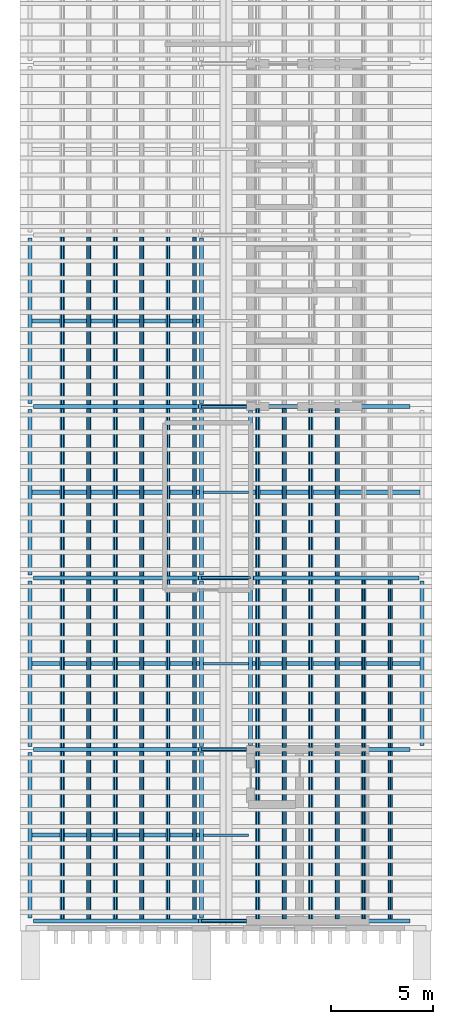
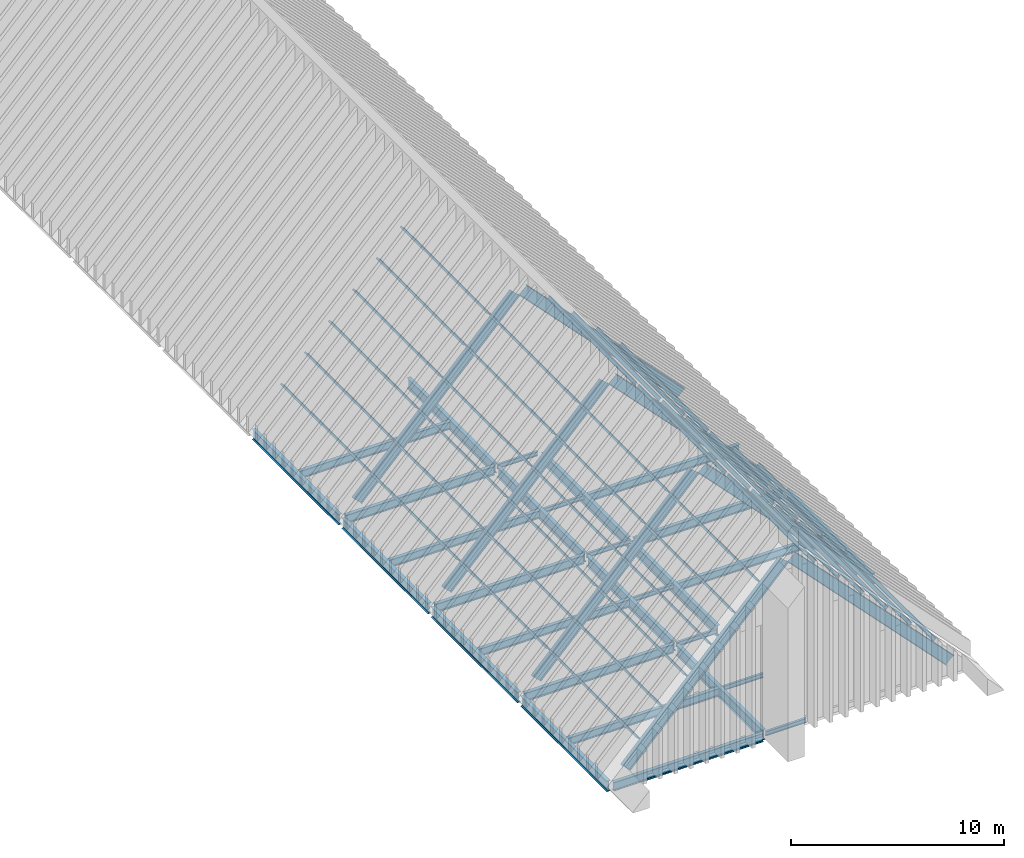
# One storey, part 1 of 6: 48 members, 29 beams.
"""IFC4 building model written with IfcOpenShell, lengths in metres."""

import ifcopenshell
import ifcopenshell.guid

model = None  # the IFC model being written
_history = None  # IfcOwnerHistory: only IFC2X3 demands one
_inside = {}  # id of a spatial element -> (the spatial element, [elements in it])
_under = {}  # id of a project, library or spatial element -> (it, [spatial elements below it])
_declared = {}  # id of a project -> (the project, [libraries it declares])
_typed = {}  # id of a type object -> (the type object, [elements of that type])
_made_of = {}  # id of a material, layer set ... -> (it, [elements and type objects made of it])


def new_model(schema):
    """Start an empty IFC model of exactly this schema.

    Asked for "IFC4X3", IfcOpenShell would pick the latest addendum, in which some entities
    have other attributes; the version numbers below select the first issue.
    IFC2X3 requires an IfcOwnerHistory on every rooted entity: one is made here for all.
    """
    global model, _history
    if schema == "IFC4X3":
        model = ifcopenshell.file(schema_version=(4, 3, 0, 0))
    else:
        model = ifcopenshell.file(schema=schema)
    _inside.clear()
    _under.clear()
    _declared.clear()
    _typed.clear()
    _made_of.clear()
    _history = None
    if model.schema == "IFC2X3":
        org = make("IfcOrganization", Name="unknown")
        user = make(
            "IfcPersonAndOrganization",
            ThePerson=make("IfcPerson", FamilyName="unknown"),
            TheOrganization=org,
        )
        app = make(
            "IfcApplication",
            ApplicationDeveloper=org,
            Version="unknown",
            ApplicationFullName="unknown",
            ApplicationIdentifier="unknown",
        )
        _history = make(
            "IfcOwnerHistory",
            OwningUser=user,
            OwningApplication=app,
            ChangeAction="ADDED",
            CreationDate=0,
        )
    return model


def make(cls, **values):
    """One entity of the class cls with the attributes given. An attribute that is None is left unset."""
    return model.create_entity(
        cls, **{name: value for name, value in values.items() if value is not None}
    )


def rooted(cls, **values):
    """An entity with a GlobalId (a new one), such as an element, a storey or a relation."""
    return make(cls, GlobalId=ifcopenshell.guid.new(), OwnerHistory=_history, **values)


def si_unit(unit_type, name, prefix=None):
    """IfcSIUnit, for example si_unit("LENGTHUNIT", "METRE", prefix="MILLI")."""
    return make("IfcSIUnit", UnitType=unit_type, Prefix=prefix, Name=name)


def assignment(units):
    """IfcUnitAssignment: the units of a project."""
    return None if units is None else make("IfcUnitAssignment", Units=units)


def point(xyz):
    """IfcCartesianPoint."""
    return None if xyz is None else make("IfcCartesianPoint", Coordinates=xyz)


def direction(xyz):
    """IfcDirection."""
    return None if xyz is None else make("IfcDirection", DirectionRatios=xyz)


def frame(location, z_axis=None, x_axis=None):
    """IfcAxis2Placement3D, a coordinate frame: its origin and axes. An axis left out is left unset."""
    return make(
        "IfcAxis2Placement3D",
        Location=point(location),
        Axis=direction(z_axis),
        RefDirection=direction(x_axis),
    )


def frame_2d(location, x_axis=None):
    """IfcAxis2Placement2D, a coordinate frame in the plane: its origin and x axis."""
    return make(
        "IfcAxis2Placement2D", Location=point(location), RefDirection=direction(x_axis)
    )


def origin():
    """The frame at (0, 0, 0) with its axes left unset."""
    return frame((0.0, 0.0, 0.0))


def origin_2d():
    """The frame at (0, 0) in the plane with its x axis left unset."""
    return frame_2d((0.0, 0.0))


def place(relative_to, where):
    """IfcLocalPlacement: puts the frame where relative to a parent placement (None: the world)."""
    return make(
        "IfcLocalPlacement", PlacementRelTo=relative_to, RelativePlacement=where
    )


def context(
    kind, dimensions, precision=None, world=None, true_north=None, identifier=None
):
    """IfcGeometricRepresentationContext, for example the 3D "Model" context."""
    return make(
        "IfcGeometricRepresentationContext",
        ContextIdentifier=identifier,
        ContextType=kind,
        CoordinateSpaceDimension=dimensions,
        Precision=precision,
        WorldCoordinateSystem=world,
        TrueNorth=true_north,
    )


def subcontext(parent, identifier, kind, view, scale=None):
    """IfcGeometricRepresentationSubContext, for example "Body" below "Model"."""
    return make(
        "IfcGeometricRepresentationSubContext",
        ContextIdentifier=identifier,
        ContextType=kind,
        ParentContext=parent,
        TargetScale=scale,
        TargetView=view,
    )


def project(units=None, contexts=None):
    """IfcProject with its units and contexts."""
    return rooted(
        "IfcProject",
        Name="project",
        RepresentationContexts=contexts,
        UnitsInContext=assignment(units),
    )


def spatial(cls, under=None, at=None, **own):
    """A site, building, storey or space (cls), placed at a placement, below another one or the project."""
    s = rooted(cls, ObjectPlacement=at, **own)
    if under is not None:
        _under.setdefault(under.id(), (under, []))[1].append(s)
    return s


def profile(cls, at=None, kind="AREA", **sizes):
    """A parametric profile (cls). Its sizes go by their IFC names, for example OverallWidth=200.0."""
    return make(cls, ProfileType=kind, Position=at, **sizes)


def i_section(**sizes):
    """IfcIShapeProfileDef."""
    return profile("IfcIShapeProfileDef", **sizes)


def extrude(swept, where, along, depth):
    """IfcExtrudedAreaSolid: the profile swept, set in the frame where, extruded along a direction by depth."""
    return make(
        "IfcExtrudedAreaSolid",
        SweptArea=swept,
        Position=where,
        ExtrudedDirection=direction(along),
        Depth=depth,
    )


def shape(context_of_items, identifier, shape_type, items):
    """IfcShapeRepresentation: the items that make up one representation, for example the "Body"."""
    return make(
        "IfcShapeRepresentation",
        ContextOfItems=context_of_items,
        RepresentationIdentifier=identifier,
        RepresentationType=shape_type,
        Items=items,
    )


def material(Name=None, Category=None):
    """IfcMaterial."""
    return make("IfcMaterial", Name=Name, Category=Category)


def material_profile(
    of_material, cross_section, Name=None, Category=None, Priority=None
):
    """IfcMaterialProfile: a cross section and its material."""
    return make(
        "IfcMaterialProfile",
        Name=Name,
        Material=of_material,
        Profile=cross_section,
        Priority=Priority,
        Category=Category,
    )


def profile_set(profiles, Name=None, composite=None):
    """IfcMaterialProfileSet."""
    return make(
        "IfcMaterialProfileSet",
        Name=Name,
        MaterialProfiles=profiles,
        CompositeProfile=composite,
    )


def made_of(thing, what):
    """Note that an element or type object is made of a material, layer set ...; save() writes the relation."""
    if what is not None:
        _made_of.setdefault(what.id(), (what, []))[1].append(thing)
    return thing


def type_object(cls, material=None, **own):
    """A type object (cls), such as IfcWallType, which elements share."""
    return made_of(rooted(cls, **own), material)


def element(
    cls,
    number,
    at=None,
    inside=None,
    cuts=None,
    type_object=None,
    material=None,
    context=None,
    identifier="Body",
    shape_type=None,
    held_by="IfcProductDefinitionShape",
    body=None,
    shapes=None,
    **own,
):
    """One element of the class cls, such as IfcWall. Its Tag is "e" and its number.

    at: its placement. inside: the storey or other place that contains it. cuts: it is an
    opening in that element (IfcRelVoidsElement). A single representation is given by context,
    identifier, shape_type and body (its items); several are given by shapes. held_by: the class
    of the entity that holds the representations. save() writes the other relations.
    """
    e = rooted(cls, Tag="e%d" % number, ObjectPlacement=at, **own)
    if body is not None:
        shapes = [shape(context, identifier, shape_type, body)]
    if shapes is not None:
        e.Representation = make(held_by, Representations=shapes)
    if inside is not None:
        _inside.setdefault(inside.id(), (inside, []))[1].append(e)
    if cuts is not None:
        rooted(
            "IfcRelVoidsElement", RelatingBuildingElement=cuts, RelatedOpeningElement=e
        )
    if type_object is not None:
        _typed.setdefault(type_object.id(), (type_object, []))[1].append(e)
    return made_of(e, material)


def aggregate(whole, parts):
    """IfcRelAggregates: a whole, such as a stair, and the parts it consists of."""
    return rooted("IfcRelAggregates", RelatingObject=whole, RelatedObjects=parts)


def save(model, path):
    """Write the relations noted so far, then the file.

    IfcRelAggregates (storeys below a building ...), IfcRelContainedInSpatialStructure (elements
    in a storey), IfcRelDefinesByType, IfcRelAssociatesMaterial and IfcRelDeclares: one each for
    every whole, place, type object, material and project.
    """
    for whole, parts in _under.values():
        aggregate(whole, parts)
    for where, things in _inside.values():
        rooted(
            "IfcRelContainedInSpatialStructure",
            RelatedElements=things,
            RelatingStructure=where,
        )
    for kind, things in _typed.values():
        rooted("IfcRelDefinesByType", RelatedObjects=things, RelatingType=kind)
    for what, things in _made_of.values():
        rooted("IfcRelAssociatesMaterial", RelatedObjects=things, RelatingMaterial=what)
    for by, libraries in _declared.values():
        rooted("IfcRelDeclares", RelatingContext=by, RelatedDefinitions=libraries)
    model.write(path)


model = new_model("IFC4")

# Units and contexts
model_context = context("Model", 3, precision=1e-05, world=origin(), true_north=direction((0.0, 1.0)))
body_context = subcontext(model_context, "Body", "Model", "MODEL_VIEW")
ifc_project = project(units=[si_unit("LENGTHUNIT", "METRE"), si_unit("AREAUNIT", "SQUARE_METRE"), si_unit("VOLUMEUNIT", "CUBIC_METRE"), si_unit("PLANEANGLEUNIT", "RADIAN"), si_unit("MASSUNIT", "GRAM", prefix="KILO")], contexts=[model_context])

# Site, building, storey
site_placement = place(None, origin())
site = spatial("IfcSite", under=ifc_project, at=site_placement, CompositionType="ELEMENT")
building_placement = place(site_placement, origin())
building = spatial("IfcBuilding", under=site, at=building_placement, Name="Cresset Court Congress Hotel", CompositionType="ELEMENT")
storey_placement = place(building_placement, frame((0.0, 0.0, 64.800048828125)))
storey = spatial("IfcBuildingStorey", under=building, at=storey_placement, Name="L15", CompositionType="ELEMENT", Elevation=64.800048828125)

# Members
ifc_material_1 = material(Name="Structural steel Q355B", Category="steel")
ifc_material_profile_1 = material_profile(ifc_material_1, i_section(OverallWidth=0.10009765625, OverallDepth=0.199951171875, WebThickness=0.005615234375, FlangeThickness=0.008056640625, FilletRadius=0.012939453125, at=origin_2d()), Name="HN200x100x5.5x8")
ifc_profile_set_1 = profile_set([ifc_material_profile_1], Name="Structural steel Q355B")
member_type_1 = type_object("IfcMemberType", Name="Roof purlin HN200x100x5.5x8", PredefinedType="PURLIN", material=ifc_profile_set_1)
for number, where, z_axis, x_axis, name in (
    (1, (165.25146484375, 0.10009765625, 8.529541015625), (0.0, 1.0, 0.0), (-0.693245874601, 0.0, -0.720701156756), "A.pur.L15.W.0.0"),
    (2, (165.25146484375, 8.5, 8.529541015625), (0.0, 1.0, 0.0), (-0.693245874601, 0.0, -0.720701156756), "A.pur.L15.W.0.1"),
):
    element("IfcMember", number, at=place(storey_placement, frame(where, z_axis=z_axis, x_axis=x_axis)), inside=storey, type_object=member_type_1, Name=name, PredefinedType="PURLIN", context=body_context, shape_type="SweptSolid", body=[
        extrude(i_section(OverallWidth=0.10009765625, OverallDepth=0.199951171875, WebThickness=0.005615234375, FlangeThickness=0.008056640625, FilletRadius=0.012939453125, at=origin_2d()), origin(), (0.0, 0.0, 1.0), 8.199951171875),
    ])
member_1_placement = place(storey_placement, frame((165.25146484375, 16.89990234375, 8.529541015625), z_axis=(0.0, 1.0, 0.0), x_axis=(-0.693245874601, 0.0, -0.720701156756)))
element("IfcMember", 3, at=member_1_placement, inside=storey, type_object=member_type_1, Name="A.pur.L15.W.0.2", PredefinedType="PURLIN", context=body_context, shape_type="SweptSolid", body=[
    extrude(i_section(OverallWidth=0.10009765625, OverallDepth=0.199951171875, WebThickness=0.005615234375, FlangeThickness=0.008056640625, FilletRadius=0.012939453125, at=origin_2d()), origin(), (0.0, 0.0, 1.0), 8.2001953125),
])
for number, where, z_axis, x_axis, name in (
    (4, (165.25146484375, 25.300048828125, 8.529541015625), (0.0, 1.0, 0.0), (-0.693245874601, 0.0, -0.720701156756), "A.pur.L15.W.0.3"),
    (5, (163.95458984375, 0.10009765625, 7.18115234375), (0.0, 1.0, 0.0), (-0.693245874601, 0.0, -0.720701156756), "A.pur.L15.W.1.0"),
    (6, (163.95458984375, 8.5, 7.18115234375), (0.0, 1.0, 0.0), (-0.693245874601, 0.0, -0.720701156756), "A.pur.L15.W.1.1"),
):
    element("IfcMember", number, at=place(storey_placement, frame(where, z_axis=z_axis, x_axis=x_axis)), inside=storey, type_object=member_type_1, Name=name, PredefinedType="PURLIN", context=body_context, shape_type="SweptSolid", body=[
        extrude(i_section(OverallWidth=0.10009765625, OverallDepth=0.199951171875, WebThickness=0.005615234375, FlangeThickness=0.008056640625, FilletRadius=0.012939453125, at=origin_2d()), origin(), (0.0, 0.0, 1.0), 8.199951171875),
    ])
member_2_placement = place(storey_placement, frame((163.95458984375, 16.89990234375, 7.18115234375), z_axis=(0.0, 1.0, 0.0), x_axis=(-0.693245874601, 0.0, -0.720701156756)))
element("IfcMember", 7, at=member_2_placement, inside=storey, type_object=member_type_1, Name="A.pur.L15.W.1.2", PredefinedType="PURLIN", context=body_context, shape_type="SweptSolid", body=[
    extrude(i_section(OverallWidth=0.10009765625, OverallDepth=0.199951171875, WebThickness=0.005615234375, FlangeThickness=0.008056640625, FilletRadius=0.012939453125, at=origin_2d()), origin(), (0.0, 0.0, 1.0), 8.2001953125),
])
for number, where, z_axis, x_axis, name in (
    (8, (163.95458984375, 25.300048828125, 7.18115234375), (0.0, 1.0, 0.0), (-0.693245874601, 0.0, -0.720701156756), "A.pur.L15.W.1.3"),
    (9, (162.65771484375, 0.10009765625, 5.832763671875), (0.0, 1.0, 0.0), (-0.693245874601, 0.0, -0.720701156756), "A.pur.L15.W.2.0"),
    (10, (162.65771484375, 8.5, 5.832763671875), (0.0, 1.0, 0.0), (-0.693245874601, 0.0, -0.720701156756), "A.pur.L15.W.2.1"),
):
    element("IfcMember", number, at=place(storey_placement, frame(where, z_axis=z_axis, x_axis=x_axis)), inside=storey, type_object=member_type_1, Name=name, PredefinedType="PURLIN", context=body_context, shape_type="SweptSolid", body=[
        extrude(i_section(OverallWidth=0.10009765625, OverallDepth=0.199951171875, WebThickness=0.005615234375, FlangeThickness=0.008056640625, FilletRadius=0.012939453125, at=origin_2d()), origin(), (0.0, 0.0, 1.0), 8.199951171875),
    ])
member_3_placement = place(storey_placement, frame((162.65771484375, 16.89990234375, 5.832763671875), z_axis=(0.0, 1.0, 0.0), x_axis=(-0.693245874601, 0.0, -0.720701156756)))
element("IfcMember", 11, at=member_3_placement, inside=storey, type_object=member_type_1, Name="A.pur.L15.W.2.2", PredefinedType="PURLIN", context=body_context, shape_type="SweptSolid", body=[
    extrude(i_section(OverallWidth=0.10009765625, OverallDepth=0.199951171875, WebThickness=0.005615234375, FlangeThickness=0.008056640625, FilletRadius=0.012939453125, at=origin_2d()), origin(), (0.0, 0.0, 1.0), 8.2001953125),
])
for number, where, z_axis, x_axis, name in (
    (12, (162.65771484375, 25.300048828125, 5.832763671875), (0.0, 1.0, 0.0), (-0.693245874601, 0.0, -0.720701156756), "A.pur.L15.W.2.3"),
    (13, (161.360595703125, 0.10009765625, 4.484375), (0.0, 1.0, 0.0), (-0.693245874601, 0.0, -0.720701156756), "A.pur.L15.W.3.0"),
    (14, (161.360595703125, 8.5, 4.484375), (0.0, 1.0, 0.0), (-0.693245874601, 0.0, -0.720701156756), "A.pur.L15.W.3.1"),
):
    element("IfcMember", number, at=place(storey_placement, frame(where, z_axis=z_axis, x_axis=x_axis)), inside=storey, type_object=member_type_1, Name=name, PredefinedType="PURLIN", context=body_context, shape_type="SweptSolid", body=[
        extrude(i_section(OverallWidth=0.10009765625, OverallDepth=0.199951171875, WebThickness=0.005615234375, FlangeThickness=0.008056640625, FilletRadius=0.012939453125, at=origin_2d()), origin(), (0.0, 0.0, 1.0), 8.199951171875),
    ])
member_4_placement = place(storey_placement, frame((161.360595703125, 16.89990234375, 4.484375), z_axis=(0.0, 1.0, 0.0), x_axis=(-0.693245874601, 0.0, -0.720701156756)))
element("IfcMember", 15, at=member_4_placement, inside=storey, type_object=member_type_1, Name="A.pur.L15.W.3.2", PredefinedType="PURLIN", context=body_context, shape_type="SweptSolid", body=[
    extrude(i_section(OverallWidth=0.10009765625, OverallDepth=0.199951171875, WebThickness=0.005615234375, FlangeThickness=0.008056640625, FilletRadius=0.012939453125, at=origin_2d()), origin(), (0.0, 0.0, 1.0), 8.2001953125),
])
for number, where, z_axis, x_axis, name in (
    (16, (161.360595703125, 25.300048828125, 4.484375), (0.0, 1.0, 0.0), (-0.693245874601, 0.0, -0.720701156756), "A.pur.L15.W.3.3"),
    (17, (160.063720703125, 0.10009765625, 3.13623046875), (0.0, 1.0, 0.0), (-0.693245874601, 0.0, -0.720701156756), "A.pur.L15.W.4.0"),
    (18, (160.063720703125, 8.5, 3.13623046875), (0.0, 1.0, 0.0), (-0.693245874601, 0.0, -0.720701156756), "A.pur.L15.W.4.1"),
):
    element("IfcMember", number, at=place(storey_placement, frame(where, z_axis=z_axis, x_axis=x_axis)), inside=storey, type_object=member_type_1, Name=name, PredefinedType="PURLIN", context=body_context, shape_type="SweptSolid", body=[
        extrude(i_section(OverallWidth=0.10009765625, OverallDepth=0.199951171875, WebThickness=0.005615234375, FlangeThickness=0.008056640625, FilletRadius=0.012939453125, at=origin_2d()), origin(), (0.0, 0.0, 1.0), 8.199951171875),
    ])
member_5_placement = place(storey_placement, frame((160.063720703125, 16.89990234375, 3.13623046875), z_axis=(0.0, 1.0, 0.0), x_axis=(-0.693245874601, 0.0, -0.720701156756)))
element("IfcMember", 19, at=member_5_placement, inside=storey, type_object=member_type_1, Name="A.pur.L15.W.4.2", PredefinedType="PURLIN", context=body_context, shape_type="SweptSolid", body=[
    extrude(i_section(OverallWidth=0.10009765625, OverallDepth=0.199951171875, WebThickness=0.005615234375, FlangeThickness=0.008056640625, FilletRadius=0.012939453125, at=origin_2d()), origin(), (0.0, 0.0, 1.0), 8.2001953125),
])
for number, where, z_axis, x_axis, name in (
    (20, (160.063720703125, 25.300048828125, 3.13623046875), (0.0, 1.0, 0.0), (-0.693245874601, 0.0, -0.720701156756), "A.pur.L15.W.4.3"),
    (21, (158.7666015625, 0.10009765625, 1.787841796875), (0.0, 1.0, 0.0), (-0.693245874601, 0.0, -0.720701156756), "A.pur.L15.W.5.0"),
    (22, (158.7666015625, 8.5, 1.787841796875), (0.0, 1.0, 0.0), (-0.693245874601, 0.0, -0.720701156756), "A.pur.L15.W.5.1"),
):
    element("IfcMember", number, at=place(storey_placement, frame(where, z_axis=z_axis, x_axis=x_axis)), inside=storey, type_object=member_type_1, Name=name, PredefinedType="PURLIN", context=body_context, shape_type="SweptSolid", body=[
        extrude(i_section(OverallWidth=0.10009765625, OverallDepth=0.199951171875, WebThickness=0.005615234375, FlangeThickness=0.008056640625, FilletRadius=0.012939453125, at=origin_2d()), origin(), (0.0, 0.0, 1.0), 8.199951171875),
    ])
member_6_placement = place(storey_placement, frame((158.7666015625, 16.89990234375, 1.787841796875), z_axis=(0.0, 1.0, 0.0), x_axis=(-0.693245874601, 0.0, -0.720701156756)))
element("IfcMember", 23, at=member_6_placement, inside=storey, type_object=member_type_1, Name="A.pur.L15.W.5.2", PredefinedType="PURLIN", context=body_context, shape_type="SweptSolid", body=[
    extrude(i_section(OverallWidth=0.10009765625, OverallDepth=0.199951171875, WebThickness=0.005615234375, FlangeThickness=0.008056640625, FilletRadius=0.012939453125, at=origin_2d()), origin(), (0.0, 0.0, 1.0), 8.2001953125),
])
for number, where, z_axis, x_axis, name in (
    (24, (158.7666015625, 25.300048828125, 1.787841796875), (0.0, 1.0, 0.0), (-0.693245874601, 0.0, -0.720701156756), "A.pur.L15.W.5.3"),
    (25, (168.348388671875, 0.10009765625, 8.529541015625), (0.0, 1.0, 0.0), (-0.693245874601, 0.0, 0.720701156756), "A.pur.L15.E.0.0"),
    (26, (168.348388671875, 8.5, 8.529541015625), (0.0, 1.0, 0.0), (-0.693245874601, 0.0, 0.720701156756), "A.pur.L15.E.0.1"),
):
    element("IfcMember", number, at=place(storey_placement, frame(where, z_axis=z_axis, x_axis=x_axis)), inside=storey, type_object=member_type_1, Name=name, PredefinedType="PURLIN", context=body_context, shape_type="SweptSolid", body=[
        extrude(i_section(OverallWidth=0.10009765625, OverallDepth=0.199951171875, WebThickness=0.005615234375, FlangeThickness=0.008056640625, FilletRadius=0.012939453125, at=origin_2d()), origin(), (0.0, 0.0, 1.0), 8.199951171875),
    ])
member_7_placement = place(storey_placement, frame((168.348388671875, 16.89990234375, 8.529541015625), z_axis=(0.0, 1.0, 0.0), x_axis=(-0.693245874601, 0.0, 0.720701156756)))
element("IfcMember", 27, at=member_7_placement, inside=storey, type_object=member_type_1, Name="A.pur.L15.E.0.2", PredefinedType="PURLIN", context=body_context, shape_type="SweptSolid", body=[
    extrude(i_section(OverallWidth=0.10009765625, OverallDepth=0.199951171875, WebThickness=0.005615234375, FlangeThickness=0.008056640625, FilletRadius=0.012939453125, at=origin_2d()), origin(), (0.0, 0.0, 1.0), 8.2001953125),
])
for number, where, z_axis, x_axis, name in (
    (28, (169.6455078125, 0.10009765625, 7.18115234375), (0.0, 1.0, 0.0), (-0.693245874601, 0.0, 0.720701156756), "A.pur.L15.E.1.0"),
    (29, (169.6455078125, 8.5, 7.18115234375), (0.0, 1.0, 0.0), (-0.693245874601, 0.0, 0.720701156756), "A.pur.L15.E.1.1"),
):
    element("IfcMember", number, at=place(storey_placement, frame(where, z_axis=z_axis, x_axis=x_axis)), inside=storey, type_object=member_type_1, Name=name, PredefinedType="PURLIN", context=body_context, shape_type="SweptSolid", body=[
        extrude(i_section(OverallWidth=0.10009765625, OverallDepth=0.199951171875, WebThickness=0.005615234375, FlangeThickness=0.008056640625, FilletRadius=0.012939453125, at=origin_2d()), origin(), (0.0, 0.0, 1.0), 8.199951171875),
    ])
member_8_placement = place(storey_placement, frame((169.6455078125, 16.89990234375, 7.18115234375), z_axis=(0.0, 1.0, 0.0), x_axis=(-0.693245874601, 0.0, 0.720701156756)))
element("IfcMember", 30, at=member_8_placement, inside=storey, type_object=member_type_1, Name="A.pur.L15.E.1.2", PredefinedType="PURLIN", context=body_context, shape_type="SweptSolid", body=[
    extrude(i_section(OverallWidth=0.10009765625, OverallDepth=0.199951171875, WebThickness=0.005615234375, FlangeThickness=0.008056640625, FilletRadius=0.012939453125, at=origin_2d()), origin(), (0.0, 0.0, 1.0), 8.2001953125),
])
for number, where, z_axis, x_axis, name in (
    (31, (170.9423828125, 0.10009765625, 5.832763671875), (0.0, 1.0, 0.0), (-0.693245874601, 0.0, 0.720701156756), "A.pur.L15.E.2.0"),
    (32, (170.9423828125, 8.5, 5.832763671875), (0.0, 1.0, 0.0), (-0.693245874601, 0.0, 0.720701156756), "A.pur.L15.E.2.1"),
):
    element("IfcMember", number, at=place(storey_placement, frame(where, z_axis=z_axis, x_axis=x_axis)), inside=storey, type_object=member_type_1, Name=name, PredefinedType="PURLIN", context=body_context, shape_type="SweptSolid", body=[
        extrude(i_section(OverallWidth=0.10009765625, OverallDepth=0.199951171875, WebThickness=0.005615234375, FlangeThickness=0.008056640625, FilletRadius=0.012939453125, at=origin_2d()), origin(), (0.0, 0.0, 1.0), 8.199951171875),
    ])
member_9_placement = place(storey_placement, frame((170.9423828125, 16.89990234375, 5.832763671875), z_axis=(0.0, 1.0, 0.0), x_axis=(-0.693245874601, 0.0, 0.720701156756)))
element("IfcMember", 33, at=member_9_placement, inside=storey, type_object=member_type_1, Name="A.pur.L15.E.2.2", PredefinedType="PURLIN", context=body_context, shape_type="SweptSolid", body=[
    extrude(i_section(OverallWidth=0.10009765625, OverallDepth=0.199951171875, WebThickness=0.005615234375, FlangeThickness=0.008056640625, FilletRadius=0.012939453125, at=origin_2d()), origin(), (0.0, 0.0, 1.0), 8.2001953125),
])
for number, where, z_axis, x_axis, name in (
    (34, (172.239501953125, 0.10009765625, 4.484375), (0.0, 1.0, 0.0), (-0.693245874601, 0.0, 0.720701156756), "A.pur.L15.E.3.0"),
    (35, (172.239501953125, 8.5, 4.484375), (0.0, 1.0, 0.0), (-0.693245874601, 0.0, 0.720701156756), "A.pur.L15.E.3.1"),
):
    element("IfcMember", number, at=place(storey_placement, frame(where, z_axis=z_axis, x_axis=x_axis)), inside=storey, type_object=member_type_1, Name=name, PredefinedType="PURLIN", context=body_context, shape_type="SweptSolid", body=[
        extrude(i_section(OverallWidth=0.10009765625, OverallDepth=0.199951171875, WebThickness=0.005615234375, FlangeThickness=0.008056640625, FilletRadius=0.012939453125, at=origin_2d()), origin(), (0.0, 0.0, 1.0), 8.199951171875),
    ])
member_10_placement = place(storey_placement, frame((172.239501953125, 16.89990234375, 4.484375), z_axis=(0.0, 1.0, 0.0), x_axis=(-0.693245874601, 0.0, 0.720701156756)))
element("IfcMember", 36, at=member_10_placement, inside=storey, type_object=member_type_1, Name="A.pur.L15.E.3.2", PredefinedType="PURLIN", context=body_context, shape_type="SweptSolid", body=[
    extrude(i_section(OverallWidth=0.10009765625, OverallDepth=0.199951171875, WebThickness=0.005615234375, FlangeThickness=0.008056640625, FilletRadius=0.012939453125, at=origin_2d()), origin(), (0.0, 0.0, 1.0), 8.2001953125),
])
for number, where, z_axis, x_axis, name in (
    (37, (173.536376953125, 0.10009765625, 3.13623046875), (0.0, 1.0, 0.0), (-0.693245874601, 0.0, 0.720701156756), "A.pur.L15.E.4.0"),
    (38, (173.536376953125, 8.5, 3.13623046875), (0.0, 1.0, 0.0), (-0.693245874601, 0.0, 0.720701156756), "A.pur.L15.E.4.1"),
    (39, (174.83349609375, 0.10009765625, 1.787841796875), (0.0, 1.0, 0.0), (-0.693245874601, 0.0, 0.720701156756), "A.pur.L15.E.5.0"),
    (40, (174.83349609375, 8.5, 1.787841796875), (0.0, 1.0, 0.0), (-0.693245874601, 0.0, 0.720701156756), "A.pur.L15.E.5.1"),
):
    element("IfcMember", number, at=place(storey_placement, frame(where, z_axis=z_axis, x_axis=x_axis)), inside=storey, type_object=member_type_1, Name=name, PredefinedType="PURLIN", context=body_context, shape_type="SweptSolid", body=[
        extrude(i_section(OverallWidth=0.10009765625, OverallDepth=0.199951171875, WebThickness=0.005615234375, FlangeThickness=0.008056640625, FilletRadius=0.012939453125, at=origin_2d()), origin(), (0.0, 0.0, 1.0), 8.199951171875),
    ])
ifc_material_2 = material(Name="Structural steel Q355B", Category="steel")
ifc_material_profile_2 = material_profile(ifc_material_2, i_section(OverallWidth=0.199951171875, OverallDepth=0.60009765625, WebThickness=0.010986328125, FlangeThickness=0.01708984375, FilletRadius=0.012939453125, at=origin_2d()), Name="HN600x200x11x17")
ifc_profile_set_2 = profile_set([ifc_material_profile_2], Name="Structural steel Q355B")
member_type_2 = type_object("IfcMemberType", Name="Roof rafter HN600x200x11x17", PredefinedType="RAFTER", material=ifc_profile_set_2)
for number, where, z_axis, x_axis, name in (
    (41, (158.018310546875, 0.0, 0.4326171875), (0.693230724133, 0.0, 0.720715729756), (0.0, 1.0, 0.0), "Rafter W1"),
    (42, (158.018310546875, 8.39990234375, 0.4326171875), (0.693230724133, 0.0, 0.720715729756), (0.0, 1.0, 0.0), "Rafter W2"),
    (43, (158.018310546875, 16.800048828125, 0.4326171875), (0.693230724133, 0.0, 0.720715729756), (0.0, 1.0, 0.0), "Rafter W3"),
    (44, (158.018310546875, 25.199951171875, 0.4326171875), (0.693230724133, 0.0, 0.720715729756), (0.0, 1.0, 0.0), "Rafter W4"),
):
    element("IfcMember", number, at=place(storey_placement, frame(where, z_axis=z_axis, x_axis=x_axis)), inside=storey, type_object=member_type_2, Name=name, PredefinedType="RAFTER", context=body_context, shape_type="SweptSolid", body=[
        extrude(i_section(OverallWidth=0.199951171875, OverallDepth=0.60009765625, WebThickness=0.010986328125, FlangeThickness=0.01708984375, FilletRadius=0.012939453125, at=origin_2d()), origin(), (0.0, 0.0, 1.0), 12.355712890625),
    ])
for number, where, z_axis, x_axis, name in (
    (45, (175.581787109375, 0.0, 0.4326171875), (-0.693240987451, 0.0, 0.720705857696), (0.0, -1.0, 0.0), "Rafter E1"),
    (46, (175.581787109375, 8.39990234375, 0.4326171875), (-0.693240987451, 0.0, 0.720705857696), (0.0, -1.0, 0.0), "Rafter E2"),
    (47, (175.581787109375, 16.800048828125, 0.4326171875), (-0.693240987451, 0.0, 0.720705857696), (0.0, -1.0, 0.0), "Rafter E3"),
    (48, (175.581787109375, 25.199951171875, 0.4326171875), (-0.693240987451, 0.0, 0.720705857696), (0.0, -1.0, 0.0), "Rafter E4"),
):
    element("IfcMember", number, at=place(storey_placement, frame(where, z_axis=z_axis, x_axis=x_axis)), inside=storey, type_object=member_type_2, Name=name, PredefinedType="RAFTER", context=body_context, shape_type="SweptSolid", body=[
        extrude(i_section(OverallWidth=0.199951171875, OverallDepth=0.60009765625, WebThickness=0.010986328125, FlangeThickness=0.01708984375, FilletRadius=0.012939453125, at=origin_2d()), origin(), (0.0, 0.0, 1.0), 12.35595703125),
    ])

# Beams
ifc_material_3 = material(Name="Structural steel Q355B", Category="steel")
ifc_material_profile_3 = material_profile(ifc_material_3, i_section(OverallWidth=0.198974609375, OverallDepth=0.446044921875, WebThickness=0.008056640625, FlangeThickness=0.011962890625, FilletRadius=0.012939453125, at=origin_2d()), Name="HN446x199x8x12")
ifc_profile_set_3 = profile_set([ifc_material_profile_3], Name="Structural steel Q355B")
beam_type_1 = type_object("IfcBeamType", Name="Steel beam HN446x199x8x12", PredefinedType="BEAM", material=ifc_profile_set_3)
for number, where, z_axis, x_axis, name in (
    (49, (157.300048828125, 4.199951171875, -0.373046875), (1.0, 0.0, 0.0), (0.0, 1.0, 0.0), "A.bm.L15.W.mid.0"),
    (50, (157.300048828125, 12.60009765625, -0.373046875), (1.0, 0.0, 0.0), (0.0, 1.0, 0.0), "A.bm.L15.W.mid.1"),
    (51, (168.10009765625, 12.60009765625, -0.373046875), (1.0, 0.0, 0.0), (0.0, 1.0, 0.0), "A.bm.L15.E.mid.1"),
    (52, (157.300048828125, 21.0, -0.373046875), (1.0, 0.0, 0.0), (0.0, 1.0, 0.0), "A.bm.L15.W.mid.2"),
    (53, (168.10009765625, 21.0, -0.373046875), (1.0, 0.0, 0.0), (0.0, 1.0, 0.0), "A.bm.L15.E.mid.2"),
    (54, (157.300048828125, 29.39990234375, -0.373046875), (1.0, 0.0, 0.0), (0.0, 1.0, 0.0), "A.bm.L15.W.mid.3"),
):
    element("IfcBeam", number, at=place(storey_placement, frame(where, z_axis=z_axis, x_axis=x_axis)), inside=storey, type_object=beam_type_1, Name=name, PredefinedType="BEAM", context=body_context, shape_type="SweptSolid", body=[
        extrude(i_section(OverallWidth=0.198974609375, OverallDepth=0.446044921875, WebThickness=0.008056640625, FlangeThickness=0.011962890625, FilletRadius=0.012939453125, at=origin_2d()), origin(), (0.0, 0.0, 1.0), 8.199951171875),
    ])
ifc_material_4 = material(Name="Structural steel Q355B", Category="steel")
ifc_material_profile_4 = material_profile(ifc_material_4, i_section(OverallWidth=0.125, OverallDepth=0.25, WebThickness=0.006103515625, FlangeThickness=0.009033203125, FilletRadius=0.012939453125, at=origin_2d()), Name="HN250x125x6x9")
ifc_profile_set_4 = profile_set([ifc_material_profile_4], Name="Structural steel Q355B")
beam_type_2 = type_object("IfcBeamType", Name="Steel corridor beam HN250x125x6x9", PredefinedType="BEAM", material=ifc_profile_set_4)
beam_1_placement = place(storey_placement, frame((165.60498046875, 0.0, -0.275146484375), z_axis=(1.0, 0.0, 0.0), x_axis=(0.0, 1.0, 0.0)))
element("IfcBeam", 55, at=beam_1_placement, inside=storey, type_object=beam_type_2, Name="A.bm.L15.C.frame0.0", PredefinedType="BEAM", context=body_context, shape_type="SweptSolid", body=[
    extrude(i_section(OverallWidth=0.125, OverallDepth=0.25, WebThickness=0.006103515625, FlangeThickness=0.009033203125, FilletRadius=0.012939453125, at=origin_2d()), origin(), (0.0, 0.0, 1.0), 2.195068359375),
])
beam_2_placement = place(storey_placement, frame((165.699951171875, 4.199951171875, -0.275146484375), z_axis=(1.0, 0.0, 0.0), x_axis=(0.0, 1.0, 0.0)))
element("IfcBeam", 56, at=beam_2_placement, inside=storey, type_object=beam_type_2, Name="A.bm.L15.C.mid.0", PredefinedType="BEAM", context=body_context, shape_type="SweptSolid", body=[
    extrude(i_section(OverallWidth=0.125, OverallDepth=0.25, WebThickness=0.006103515625, FlangeThickness=0.009033203125, FilletRadius=0.012939453125, at=origin_2d()), origin(), (0.0, 0.0, 1.0), 2.199951171875),
])
beam_3_placement = place(storey_placement, frame((165.60498046875, 8.39990234375, -0.275146484375), z_axis=(1.0, 0.0, 0.0), x_axis=(0.0, 1.0, 0.0)))
element("IfcBeam", 57, at=beam_3_placement, inside=storey, type_object=beam_type_2, Name="A.bm.L15.C.frame0.1", PredefinedType="BEAM", context=body_context, shape_type="SweptSolid", body=[
    extrude(i_section(OverallWidth=0.125, OverallDepth=0.25, WebThickness=0.006103515625, FlangeThickness=0.009033203125, FilletRadius=0.012939453125, at=origin_2d()), origin(), (0.0, 0.0, 1.0), 2.195068359375),
])
beam_4_placement = place(storey_placement, frame((165.699951171875, 12.60009765625, -0.275146484375), z_axis=(1.0, 0.0, 0.0), x_axis=(0.0, 1.0, 0.0)))
element("IfcBeam", 58, at=beam_4_placement, inside=storey, type_object=beam_type_2, Name="A.bm.L15.C.mid.1", PredefinedType="BEAM", context=body_context, shape_type="SweptSolid", body=[
    extrude(i_section(OverallWidth=0.125, OverallDepth=0.25, WebThickness=0.006103515625, FlangeThickness=0.009033203125, FilletRadius=0.012939453125, at=origin_2d()), origin(), (0.0, 0.0, 1.0), 2.199951171875),
])
beam_5_placement = place(storey_placement, frame((165.60498046875, 16.800048828125, -0.275146484375), z_axis=(1.0, 0.0, 0.0), x_axis=(0.0, 1.0, 0.0)))
element("IfcBeam", 59, at=beam_5_placement, inside=storey, type_object=beam_type_2, Name="A.bm.L15.C.frame0.2", PredefinedType="BEAM", context=body_context, shape_type="SweptSolid", body=[
    extrude(i_section(OverallWidth=0.125, OverallDepth=0.25, WebThickness=0.006103515625, FlangeThickness=0.009033203125, FilletRadius=0.012939453125, at=origin_2d()), origin(), (0.0, 0.0, 1.0), 2.39013671875),
])
beam_6_placement = place(storey_placement, frame((165.699951171875, 21.0, -0.275146484375), z_axis=(1.0, 0.0, 0.0), x_axis=(0.0, 1.0, 0.0)))
element("IfcBeam", 60, at=beam_6_placement, inside=storey, type_object=beam_type_2, Name="A.bm.L15.C.mid.2", PredefinedType="BEAM", context=body_context, shape_type="SweptSolid", body=[
    extrude(i_section(OverallWidth=0.125, OverallDepth=0.25, WebThickness=0.006103515625, FlangeThickness=0.009033203125, FilletRadius=0.012939453125, at=origin_2d()), origin(), (0.0, 0.0, 1.0), 2.199951171875),
])
beam_7_placement = place(storey_placement, frame((165.60498046875, 25.199951171875, -0.275146484375), z_axis=(1.0, 0.0, 0.0), x_axis=(0.0, 1.0, 0.0)))
element("IfcBeam", 61, at=beam_7_placement, inside=storey, type_object=beam_type_2, Name="A.bm.L15.C.frame0.3", PredefinedType="BEAM", context=body_context, shape_type="SweptSolid", body=[
    extrude(i_section(OverallWidth=0.125, OverallDepth=0.25, WebThickness=0.006103515625, FlangeThickness=0.009033203125, FilletRadius=0.012939453125, at=origin_2d()), origin(), (0.0, 0.0, 1.0), 2.195068359375),
])
ifc_material_5 = material(Name="Structural steel Q355B", Category="steel")
ifc_material_profile_5 = material_profile(ifc_material_5, i_section(OverallWidth=0.199951171875, OverallDepth=0.5, WebThickness=0.010009765625, FlangeThickness=0.01611328125, FilletRadius=0.012939453125, at=origin_2d()), Name="HN500x200x10x16")
ifc_profile_set_5 = profile_set([ifc_material_profile_5], Name="Structural steel Q355B")
beam_type_3 = type_object("IfcBeamType", Name="Steel eaves tie HN500x200x10x16", PredefinedType="BEAM", material=ifc_profile_set_5)
for number, where, z_axis, x_axis, name in (
    (62, (157.35009765625, 0.0, -0.400146484375), (1.0, 0.0, 0.0), (0.0, 1.0, 0.0), "A.bm.L15.W.frame0.0"),
    (63, (157.35009765625, 8.39990234375, -0.400146484375), (1.0, 0.0, 0.0), (0.0, 1.0, 0.0), "A.bm.L15.W.frame0.1"),
    (64, (157.35009765625, 16.800048828125, -0.400146484375), (1.0, 0.0, 0.0), (0.0, 1.0, 0.0), "A.bm.L15.W.frame0.2"),
):
    element("IfcBeam", number, at=place(storey_placement, frame(where, z_axis=z_axis, x_axis=x_axis)), inside=storey, type_object=beam_type_3, Name=name, PredefinedType="BEAM", context=body_context, shape_type="SweptSolid", body=[
        extrude(i_section(OverallWidth=0.199951171875, OverallDepth=0.5, WebThickness=0.010009765625, FlangeThickness=0.01611328125, FilletRadius=0.012939453125, at=origin_2d()), origin(), (0.0, 0.0, 1.0), 8.099853515625),
    ])
beam_8_placement = place(storey_placement, frame((168.14990234375, 16.800048828125, -0.400146484375), z_axis=(1.0, 0.0, 0.0), x_axis=(0.0, 1.0, 0.0)))
element("IfcBeam", 65, at=beam_8_placement, inside=storey, type_object=beam_type_3, Name="A.bm.L15.E.frame0.2", PredefinedType="BEAM", context=body_context, shape_type="SweptSolid", body=[
    extrude(i_section(OverallWidth=0.199951171875, OverallDepth=0.5, WebThickness=0.010009765625, FlangeThickness=0.01611328125, FilletRadius=0.012939453125, at=origin_2d()), origin(), (0.0, 0.0, 1.0), 8.10009765625),
])
beam_9_placement = place(storey_placement, frame((157.35009765625, 25.199951171875, -0.400146484375), z_axis=(1.0, 0.0, 0.0), x_axis=(0.0, 1.0, 0.0)))
element("IfcBeam", 66, at=beam_9_placement, inside=storey, type_object=beam_type_3, Name="A.bm.L15.W.frame0.3", PredefinedType="BEAM", context=body_context, shape_type="SweptSolid", body=[
    extrude(i_section(OverallWidth=0.199951171875, OverallDepth=0.5, WebThickness=0.010009765625, FlangeThickness=0.01611328125, FilletRadius=0.012939453125, at=origin_2d()), origin(), (0.0, 0.0, 1.0), 8.099853515625),
])
ifc_material_6 = material(Name="Structural steel Q355B", Category="steel")
ifc_material_profile_6 = material_profile(ifc_material_6, i_section(OverallWidth=0.199951171875, OverallDepth=0.60009765625, WebThickness=0.010986328125, FlangeThickness=0.01708984375, FilletRadius=0.012939453125, at=origin_2d()), Name="HN600x200x11x17")
ifc_profile_set_6 = profile_set([ifc_material_profile_6], Name="Structural steel Q355B")
beam_type_4 = type_object("IfcBeamType", Name="Steel girder HN600x200x11x17", PredefinedType="BEAM", material=ifc_profile_set_6)
beam_10_placement = place(storey_placement, frame((157.199951171875, 0.14990234375, -0.449951171875), z_axis=(0.0, 1.0, 0.0), x_axis=(-1.0, 0.0, 0.0)))
element("IfcBeam", 67, at=beam_10_placement, inside=storey, type_object=beam_type_4, Name="A.gir.L15.0.0", PredefinedType="BEAM", context=body_context, shape_type="SweptSolid", body=[
    extrude(i_section(OverallWidth=0.199951171875, OverallDepth=0.60009765625, WebThickness=0.010986328125, FlangeThickness=0.01708984375, FilletRadius=0.012939453125, at=origin_2d()), origin(), (0.0, 0.0, 1.0), 8.10009765625),
])
beam_11_placement = place(storey_placement, frame((157.199951171875, 8.550048828125, -0.449951171875), z_axis=(0.0, 1.0, 0.0), x_axis=(-1.0, 0.0, 0.0)))
element("IfcBeam", 68, at=beam_11_placement, inside=storey, type_object=beam_type_4, Name="A.gir.L15.0.1", PredefinedType="BEAM", context=body_context, shape_type="SweptSolid", body=[
    extrude(i_section(OverallWidth=0.199951171875, OverallDepth=0.60009765625, WebThickness=0.010986328125, FlangeThickness=0.01708984375, FilletRadius=0.012939453125, at=origin_2d()), origin(), (0.0, 0.0, 1.0), 8.099853515625),
])
beam_12_placement = place(storey_placement, frame((157.199951171875, 16.949951171875, -0.449951171875), z_axis=(0.0, 1.0, 0.0), x_axis=(-1.0, 0.0, 0.0)))
element("IfcBeam", 69, at=beam_12_placement, inside=storey, type_object=beam_type_4, Name="A.gir.L15.0.2", PredefinedType="BEAM", context=body_context, shape_type="SweptSolid", body=[
    extrude(i_section(OverallWidth=0.199951171875, OverallDepth=0.60009765625, WebThickness=0.010986328125, FlangeThickness=0.01708984375, FilletRadius=0.012939453125, at=origin_2d()), origin(), (0.0, 0.0, 1.0), 8.10009765625),
])
beam_13_placement = place(storey_placement, frame((157.199951171875, 25.35009765625, -0.449951171875), z_axis=(0.0, 1.0, 0.0), x_axis=(-1.0, 0.0, 0.0)))
element("IfcBeam", 70, at=beam_13_placement, inside=storey, type_object=beam_type_4, Name="A.gir.L15.0.3", PredefinedType="BEAM", context=body_context, shape_type="SweptSolid", body=[
    extrude(i_section(OverallWidth=0.199951171875, OverallDepth=0.60009765625, WebThickness=0.010986328125, FlangeThickness=0.01708984375, FilletRadius=0.012939453125, at=origin_2d()), origin(), (0.0, 0.0, 1.0), 8.099853515625),
])
beam_14_placement = place(storey_placement, frame((165.60009765625, 0.14990234375, -0.449951171875), z_axis=(0.0, 1.0, 0.0), x_axis=(-1.0, 0.0, 0.0)))
element("IfcBeam", 71, at=beam_14_placement, inside=storey, type_object=beam_type_4, Name="A.gir.L15.1.0", PredefinedType="BEAM", context=body_context, shape_type="SweptSolid", body=[
    extrude(i_section(OverallWidth=0.199951171875, OverallDepth=0.60009765625, WebThickness=0.010986328125, FlangeThickness=0.01708984375, FilletRadius=0.012939453125, at=origin_2d()), origin(), (0.0, 0.0, 1.0), 8.10009765625),
])
beam_15_placement = place(storey_placement, frame((165.60009765625, 8.550048828125, -0.449951171875), z_axis=(0.0, 1.0, 0.0), x_axis=(-1.0, 0.0, 0.0)))
element("IfcBeam", 72, at=beam_15_placement, inside=storey, type_object=beam_type_4, Name="A.gir.L15.1.1", PredefinedType="BEAM", context=body_context, shape_type="SweptSolid", body=[
    extrude(i_section(OverallWidth=0.199951171875, OverallDepth=0.60009765625, WebThickness=0.010986328125, FlangeThickness=0.01708984375, FilletRadius=0.012939453125, at=origin_2d()), origin(), (0.0, 0.0, 1.0), 8.099853515625),
])
beam_16_placement = place(storey_placement, frame((165.60009765625, 16.949951171875, -0.449951171875), z_axis=(0.0, 1.0, 0.0), x_axis=(-1.0, 0.0, 0.0)))
element("IfcBeam", 73, at=beam_16_placement, inside=storey, type_object=beam_type_4, Name="A.gir.L15.1.2", PredefinedType="BEAM", context=body_context, shape_type="SweptSolid", body=[
    extrude(i_section(OverallWidth=0.199951171875, OverallDepth=0.60009765625, WebThickness=0.010986328125, FlangeThickness=0.01708984375, FilletRadius=0.012939453125, at=origin_2d()), origin(), (0.0, 0.0, 1.0), 8.10009765625),
])
beam_17_placement = place(storey_placement, frame((165.60009765625, 25.35009765625, -0.449951171875), z_axis=(0.0, 1.0, 0.0), x_axis=(-1.0, 0.0, 0.0)))
element("IfcBeam", 74, at=beam_17_placement, inside=storey, type_object=beam_type_4, Name="A.gir.L15.1.3", PredefinedType="BEAM", context=body_context, shape_type="SweptSolid", body=[
    extrude(i_section(OverallWidth=0.199951171875, OverallDepth=0.60009765625, WebThickness=0.010986328125, FlangeThickness=0.01708984375, FilletRadius=0.012939453125, at=origin_2d()), origin(), (0.0, 0.0, 1.0), 8.099853515625),
])
beam_18_placement = place(storey_placement, frame((168.0, 8.60009765625, -0.449951171875), z_axis=(0.0, 1.0, 0.0), x_axis=(-1.0, 0.0, 0.0)))
element("IfcBeam", 75, at=beam_18_placement, inside=storey, type_object=beam_type_4, Name="A.gir.L15.2.1", PredefinedType="BEAM", context=body_context, shape_type="SweptSolid", body=[
    extrude(i_section(OverallWidth=0.199951171875, OverallDepth=0.60009765625, WebThickness=0.010986328125, FlangeThickness=0.01708984375, FilletRadius=0.012939453125, at=origin_2d()), origin(), (0.0, 0.0, 1.0), 8.0498046875),
])
beam_19_placement = place(storey_placement, frame((168.0, 16.949951171875, -0.449951171875), z_axis=(0.0, 1.0, 0.0), x_axis=(-1.0, 0.0, 0.0)))
element("IfcBeam", 76, at=beam_19_placement, inside=storey, type_object=beam_type_4, Name="A.gir.L15.2.2", PredefinedType="BEAM", context=body_context, shape_type="SweptSolid", body=[
    extrude(i_section(OverallWidth=0.199951171875, OverallDepth=0.60009765625, WebThickness=0.010986328125, FlangeThickness=0.01708984375, FilletRadius=0.012939453125, at=origin_2d()), origin(), (0.0, 0.0, 1.0), 8.050048828125),
])
beam_20_placement = place(storey_placement, frame((176.39990234375, 8.60009765625, -0.449951171875), z_axis=(0.0, 1.0, 0.0), x_axis=(-1.0, 0.0, 0.0)))
element("IfcBeam", 77, at=beam_20_placement, inside=storey, type_object=beam_type_4, Name="A.gir.L15.3.1", PredefinedType="BEAM", context=body_context, shape_type="SweptSolid", body=[
    extrude(i_section(OverallWidth=0.199951171875, OverallDepth=0.60009765625, WebThickness=0.010986328125, FlangeThickness=0.01708984375, FilletRadius=0.012939453125, at=origin_2d()), origin(), (0.0, 0.0, 1.0), 8.0498046875),
])

save(model, "model.ifc")
